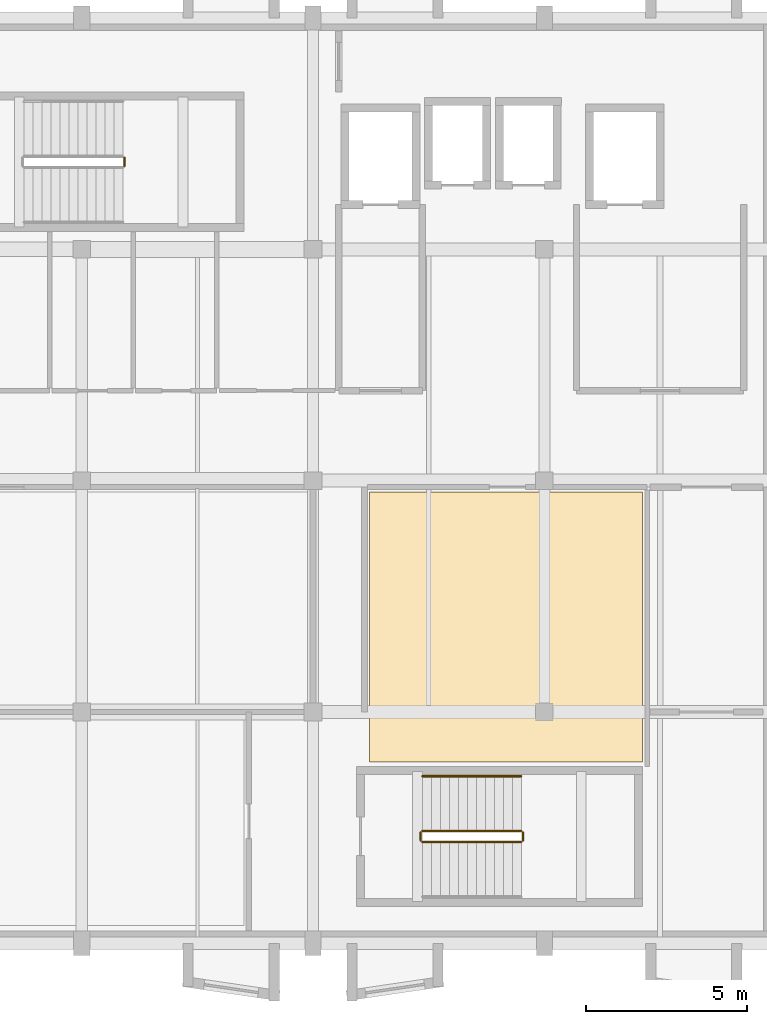
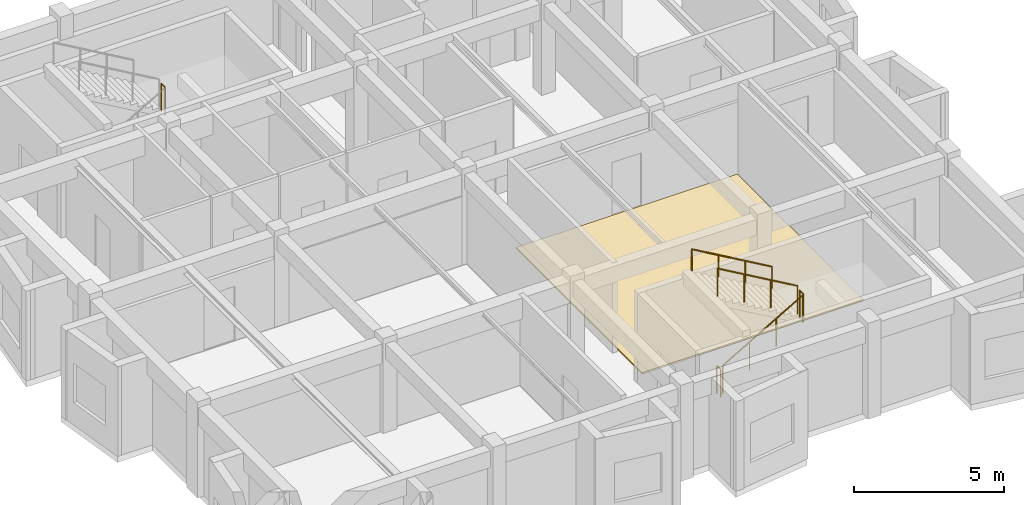
# One storey, part 12 of 12: 6 railings, 1 covering.
"""IFC4 building model written with IfcOpenShell, lengths in metres."""

from ifc_helpers import new_model, si_unit, direction, frame, origin, origin_2d, place, context, subcontext, project, spatial, polyline, circle, outline, extrude, material, layer, layer_set, type_object, element, save


model = new_model("IFC4")

# Units and contexts
model_context = context("Model", 3, precision=1e-05, world=origin(), true_north=direction((0.0, 1.0)))
body_context = subcontext(model_context, "Body", "Model", "MODEL_VIEW")
ifc_project = project(units=[si_unit("LENGTHUNIT", "METRE"), si_unit("AREAUNIT", "SQUARE_METRE"), si_unit("VOLUMEUNIT", "CUBIC_METRE"), si_unit("PLANEANGLEUNIT", "RADIAN"), si_unit("MASSUNIT", "GRAM", prefix="KILO")], contexts=[model_context])

# Site, building, storey
site_placement = place(None, origin())
site = spatial("IfcSite", under=ifc_project, at=site_placement, CompositionType="ELEMENT")
building_placement = place(site_placement, origin())
building = spatial("IfcBuilding", under=site, at=building_placement, Name="Bramveld Media Centre", CompositionType="ELEMENT")
storey_placement = place(building_placement, frame((0.0, 0.0, 21.89990234375)))
storey = spatial("IfcBuildingStorey", under=building, at=storey_placement, Name="L05", CompositionType="ELEMENT", Elevation=21.89990234375)

# Covering
ifc_material_1 = material(Name="Floating acoustic screed with smoked European oak studio flooring")
ifc_layer = layer(ifc_material_1, 0.06494140625)
ifc_layer_set = layer_set([ifc_layer], Name="Floating acoustic screed with smoked European oak studio flooring")
covering_type = type_object("IfcCoveringType", Name="COV-FLOOR-01", PredefinedType="FLOORING", material=ifc_layer_set)
covering_placement = place(storey_placement, origin())
element("IfcCovering", 1, at=covering_placement, inside=storey, type_object=covering_type, Name="Jury Screening & Deliberation Studio finish flooring", PredefinedType="FLOORING", context=body_context, shape_type="SweptSolid", body=[
    extrude(outline(polyline([(147.35009765625, 88.85009765625), (155.85009765625, 88.85009765625), (155.85009765625, 97.25), (147.35009765625, 97.25), (147.35009765625, 88.85009765625)])), origin(), (0.0, 0.0, 1.0), 0.065185546875),
])

# Railings
ifc_material_2 = material(Name="Painted galvanized steel stairwell guardrail", Category="steel")
railing_type_1 = type_object("IfcRailingType", Name="RAIL-STAIR-GUARD-1150", PredefinedType="GUARDRAIL", material=ifc_material_2)
railing_1_placement = place(storey_placement, frame((139.72998046875, 107.39990234375, 1.9501953125)))
element("IfcRailing", 2, at=railing_1_placement, inside=storey, type_object=railing_type_1, Name="L05 ST-01 stair guard 2", PredefinedType="GUARDRAIL", context=body_context, shape_type="SweptSolid", body=[
    extrude(circle(Radius=0.02392578125, at=origin_2d()), frame((0.0, 0.0, 1.1259765625), z_axis=(0.0, 1.0, 0.0), x_axis=(-1.0, 0.0, 0.0)), (0.0, 0.0, 1.0), 0.25),
    extrude(circle(Radius=0.02099609375, at=origin_2d()), origin(), (0.0, 0.0, 1.0), 1.101806640625),
    extrude(circle(Radius=0.02099609375, at=origin_2d()), frame((0.0, 0.25, 0.0)), (0.0, 0.0, 1.0), 1.101806640625),
])
railing_2_placement = place(storey_placement, frame((149.0, 86.35009765625, 0.16259765625)))
element("IfcRailing", 3, at=railing_2_placement, inside=storey, type_object=railing_type_1, Name="L05 ST-02 stair guard 1", PredefinedType="GUARDRAIL", context=body_context, shape_type="SweptSolid", body=[
    extrude(circle(Radius=0.02392578125, at=origin_2d()), frame((0.0, 0.0, 1.1259765625), z_axis=(0.864890721111, 0.0, 0.501960198159), x_axis=(0.0, 1.0, 0.0)), (0.0, 0.0, 1.0), 3.561279296875),
    extrude(circle(Radius=0.02099609375, at=origin_2d()), origin(), (0.0, 0.0, 1.0), 1.101806640625),
    extrude(circle(Radius=0.02099609375, at=origin_2d()), frame((1.026611328125, 0.0, 0.595947265625)), (0.0, 0.0, 1.0), 1.101806640625),
    extrude(circle(Radius=0.02099609375, at=origin_2d()), frame((2.053466796875, 0.0, 1.191650390625)), (0.0, 0.0, 1.0), 1.101806640625),
    extrude(circle(Radius=0.02099609375, at=origin_2d()), frame((3.080078125, 0.0, 1.78759765625)), (0.0, 0.0, 1.0), 1.101806640625),
])
railing_3_placement = place(storey_placement, frame((152.1298828125, 86.39990234375, 1.9501953125)))
element("IfcRailing", 4, at=railing_3_placement, inside=storey, type_object=railing_type_1, Name="L05 ST-02 stair guard 2", PredefinedType="GUARDRAIL", context=body_context, shape_type="SweptSolid", body=[
    extrude(circle(Radius=0.02392578125, at=origin_2d()), frame((0.0, 0.0, 1.1259765625), z_axis=(0.0, 1.0, 0.0), x_axis=(-1.0, 0.0, 0.0)), (0.0, 0.0, 1.0), 0.25),
    extrude(circle(Radius=0.02099609375, at=origin_2d()), origin(), (0.0, 0.0, 1.0), 1.101806640625),
    extrude(circle(Radius=0.02099609375, at=origin_2d()), frame((0.0, 0.25, 0.0)), (0.0, 0.0, 1.0), 1.101806640625),
])
railing_4_placement = place(storey_placement, frame((152.080078125, 86.699951171875, 2.112548828125)))
element("IfcRailing", 5, at=railing_4_placement, inside=storey, type_object=railing_type_1, Name="L05 ST-02 stair guard 3", PredefinedType="GUARDRAIL", context=body_context, shape_type="SweptSolid", body=[
    extrude(circle(Radius=0.02392578125, at=origin_2d()), frame((0.0, 0.0, 1.1259765625), z_axis=(-0.864890721111, 0.0, 0.501960198159), x_axis=(0.0, -1.0, 0.0)), (0.0, 0.0, 1.0), 3.561279296875),
    extrude(circle(Radius=0.02099609375, at=origin_2d()), origin(), (0.0, 0.0, 1.0), 1.101806640625),
    extrude(circle(Radius=0.02099609375, at=origin_2d()), frame((-1.026611328125, 0.0, 0.595947265625)), (0.0, 0.0, 1.0), 1.101806640625),
    extrude(circle(Radius=0.02099609375, at=origin_2d()), frame((-2.053466796875, 0.0, 1.191650390625)), (0.0, 0.0, 1.0), 1.101806640625),
    extrude(circle(Radius=0.02099609375, at=origin_2d()), frame((-3.080078125, 0.0, 1.78759765625)), (0.0, 0.0, 1.0), 1.101806640625),
])
railing_5_placement = place(storey_placement, frame((148.949951171875, 86.39990234375, 0.0)))
element("IfcRailing", 6, at=railing_5_placement, inside=storey, type_object=railing_type_1, Name="L05 ST-02 stair guard 4", PredefinedType="GUARDRAIL", context=body_context, shape_type="SweptSolid", body=[
    extrude(circle(Radius=0.02392578125, at=origin_2d()), frame((0.0, 0.0, 1.1259765625), z_axis=(0.0, 1.0, 0.0), x_axis=(-1.0, 0.0, 0.0)), (0.0, 0.0, 1.0), 0.25),
    extrude(circle(Radius=0.02099609375, at=origin_2d()), origin(), (0.0, 0.0, 1.0), 1.101806640625),
    extrude(circle(Radius=0.02099609375, at=origin_2d()), frame((0.0, 0.25, 0.0)), (0.0, 0.0, 1.0), 1.101806640625),
])
ifc_material_3 = material(Name="Brushed stainless steel tubular stair handrail", Category="steel")
railing_type_2 = type_object("IfcRailingType", Name="RAIL-STAIR-HAND-0920", PredefinedType="HANDRAIL", material=ifc_material_3)
railing_6_placement = place(storey_placement, frame((152.080078125, 88.39990234375, 2.112548828125)))
element("IfcRailing", 7, at=railing_6_placement, inside=storey, type_object=railing_type_2, Name="L05 ST-02 stair handrail 2", PredefinedType="HANDRAIL", context=body_context, shape_type="SweptSolid", body=[
    extrude(circle(Radius=0.02392578125, at=origin_2d()), frame((0.0, 0.0, 0.8759765625), z_axis=(-0.864890721111, 0.0, 0.501960198159), x_axis=(0.0, -1.0, 0.0)), (0.0, 0.0, 1.0), 3.561279296875),
    extrude(circle(Radius=0.02099609375, at=origin_2d()), origin(), (0.0, 0.0, 1.0), 0.851806640625),
    extrude(circle(Radius=0.02099609375, at=origin_2d()), frame((-1.026611328125, 0.0, 0.595947265625)), (0.0, 0.0, 1.0), 0.851806640625),
    extrude(circle(Radius=0.02099609375, at=origin_2d()), frame((-2.053466796875, 0.0, 1.191650390625)), (0.0, 0.0, 1.0), 0.851806640625),
    extrude(circle(Radius=0.02099609375, at=origin_2d()), frame((-3.080078125, 0.0, 1.78759765625)), (0.0, 0.0, 1.0), 0.851806640625),
])

save(model, "model.ifc")
